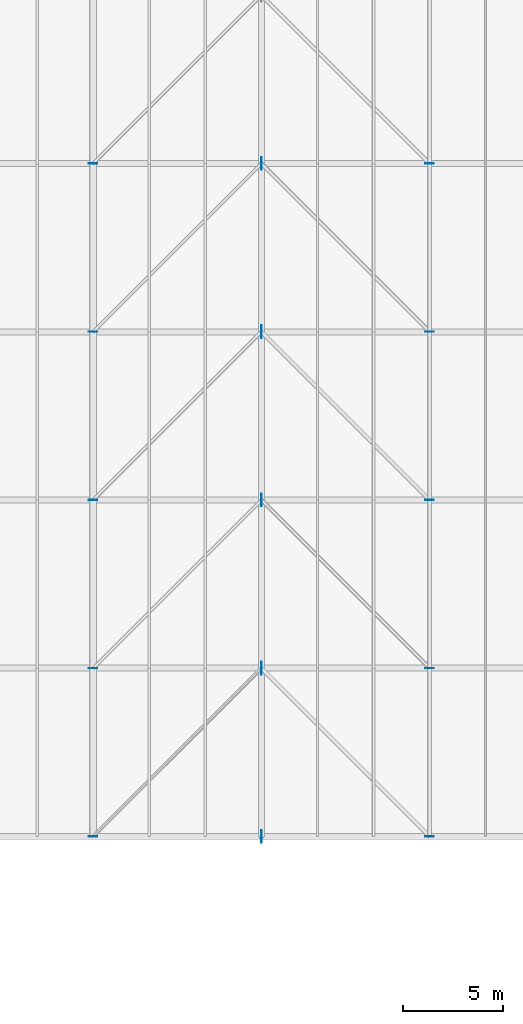
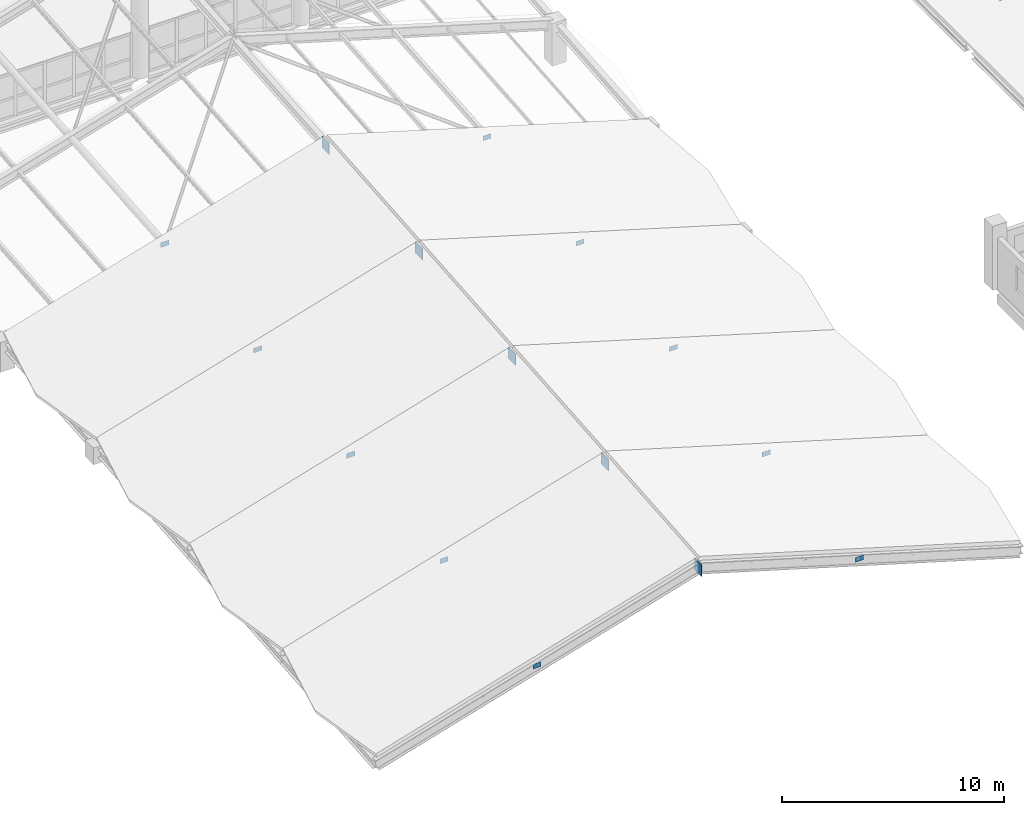
# One storey, part 74 of 95: 15 plates.
"""IFC4 building model written with IfcOpenShell, lengths in metres."""

from ifc_helpers import new_model, si_unit, direction, frame, origin, origin_2d, place, context, subcontext, project, spatial, rectangle, extrude, material, layer, layer_set, type_object, element, save


model = new_model("IFC4")

# Units and contexts
model_context = context("Model", 3, precision=1e-05, world=origin(), true_north=direction((0.0, 1.0)))
body_context = subcontext(model_context, "Body", "Model", "MODEL_VIEW")
ifc_project = project(units=[si_unit("LENGTHUNIT", "METRE"), si_unit("AREAUNIT", "SQUARE_METRE"), si_unit("VOLUMEUNIT", "CUBIC_METRE"), si_unit("PLANEANGLEUNIT", "RADIAN"), si_unit("MASSUNIT", "GRAM", prefix="KILO"), si_unit("THERMODYNAMICTEMPERATUREUNIT", "KELVIN"), si_unit("POWERUNIT", "WATT")], contexts=[model_context])

# Site, building, storey
site_placement = place(None, origin())
site = spatial("IfcSite", under=ifc_project, at=site_placement, CompositionType="ELEMENT")
building_placement = place(site_placement, origin())
building = spatial("IfcBuilding", under=site, at=building_placement, Name="Mavoryth Pier Ferry Terminal", CompositionType="ELEMENT")
storey_placement = place(building_placement, frame((0.0, 0.0, 9.60009765625)))
storey = spatial("IfcBuildingStorey", under=building, at=storey_placement, Name="L02", CompositionType="ELEMENT", Elevation=9.60009765625)

# Plates
ifc_material = material(Name="Steel S355J2", Category="steel")
ifc_layer_1 = layer(ifc_material, 0.030029296875, Name="Steel S355J2", Category="steel")
ifc_layer_set_1 = layer_set([ifc_layer_1], Name="Steel S355J2 - Plate-Gusset-640x640x30")
plate_type_1 = type_object("IfcPlateType", Name="Plate-Gusset-640x640x30", PredefinedType="SHEET", material=ifc_layer_set_1)
for number, where, z_axis, x_axis, name in (
    (1, (16.800048828125, 22.0, 3.099609375), (0.0, 0.0, 1.0), (0.0, 1.0, 0.0), "Steel Node Plate PL-L02-0001"),
    (2, (16.800048828125, 30.39990234375, 3.81396484375), (0.0, 0.0, 1.0), (0.0, 1.0, 0.0), "Steel Node Plate PL-L02-0004"),
    (3, (16.800048828125, 38.800048828125, 4.5283203125), (0.0, 0.0, 1.0), (0.0, 1.0, 0.0), "Steel Node Plate PL-L02-0007"),
    (4, (16.800048828125, 47.199951171875, 5.24267578125), (0.0, 0.0, 1.0), (0.0, 1.0, 0.0), "Steel Node Plate PL-L02-0010"),
    (5, (16.800048828125, 55.60009765625, 5.95703125), (0.0, 0.0, 1.0), (0.0, 1.0, 0.0), "Steel Node Plate PL-L02-0013"),
):
    element("IfcPlate", number, at=place(storey_placement, frame(where, z_axis=z_axis, x_axis=x_axis)), inside=storey, type_object=plate_type_1, Name=name, PredefinedType="SHEET", context=body_context, shape_type="SweptSolid", body=[
        extrude(rectangle(XDim=0.639892578125, YDim=0.030029296875, at=origin_2d()), origin(), (0.0, 0.0, 1.0), 0.639892578125),
    ])
ifc_layer_2 = layer(ifc_material, 0.013916015625, Name="Steel S355J2", Category="steel")
ifc_layer_set_2 = layer_set([ifc_layer_2], Name="Steel S355J2 - Plate-Stiffener-420x260x14")
plate_type_2 = type_object("IfcPlateType", Name="Plate-Stiffener-420x260x14", PredefinedType="USERDEFINED", material=ifc_layer_set_2)
for number, where, z_axis, x_axis, name in (
    (6, (8.39990234375, 22.0, 0.80126953125), (0.0, 0.0, 1.0), (1.0, 0.0, 0.0), "Steel Node Plate PL-L02-0002"),
    (7, (25.199951171875, 22.0, 0.80126953125), (0.0, 0.0, 1.0), (1.0, 0.0, 0.0), "Steel Node Plate PL-L02-0003"),
    (8, (8.39990234375, 30.39990234375, 1.515625), (0.0, 0.0, 1.0), (1.0, 0.0, 0.0), "Steel Node Plate PL-L02-0005"),
    (9, (25.199951171875, 30.39990234375, 1.515625), (0.0, 0.0, 1.0), (1.0, 0.0, 0.0), "Steel Node Plate PL-L02-0006"),
    (10, (8.39990234375, 38.800048828125, 2.22998046875), (0.0, 0.0, 1.0), (1.0, 0.0, 0.0), "Steel Node Plate PL-L02-0008"),
    (11, (25.199951171875, 38.800048828125, 2.22998046875), (0.0, 0.0, 1.0), (1.0, 0.0, 0.0), "Steel Node Plate PL-L02-0009"),
    (12, (8.39990234375, 47.199951171875, 2.9443359375), (0.0, 0.0, 1.0), (1.0, 0.0, 0.0), "Steel Node Plate PL-L02-0011"),
    (13, (25.199951171875, 47.199951171875, 2.9443359375), (0.0, 0.0, 1.0), (1.0, 0.0, 0.0), "Steel Node Plate PL-L02-0012"),
    (14, (8.39990234375, 55.60009765625, 3.65869140625), (0.0, 0.0, 1.0), (1.0, 0.0, 0.0), "Steel Node Plate PL-L02-0014"),
    (15, (25.199951171875, 55.60009765625, 3.65869140625), (0.0, 0.0, 1.0), (1.0, 0.0, 0.0), "Steel Node Plate PL-L02-0015"),
):
    element("IfcPlate", number, at=place(storey_placement, frame(where, z_axis=z_axis, x_axis=x_axis)), inside=storey, type_object=plate_type_2, Name=name, ObjectType="STIFFENER PLATE", PredefinedType="USERDEFINED", context=body_context, shape_type="SweptSolid", body=[
        extrude(rectangle(XDim=0.419921875, YDim=0.013916015625, at=origin_2d()), origin(), (0.0, 0.0, 1.0), 0.260009765625),
    ])

save(model, "model.ifc")
